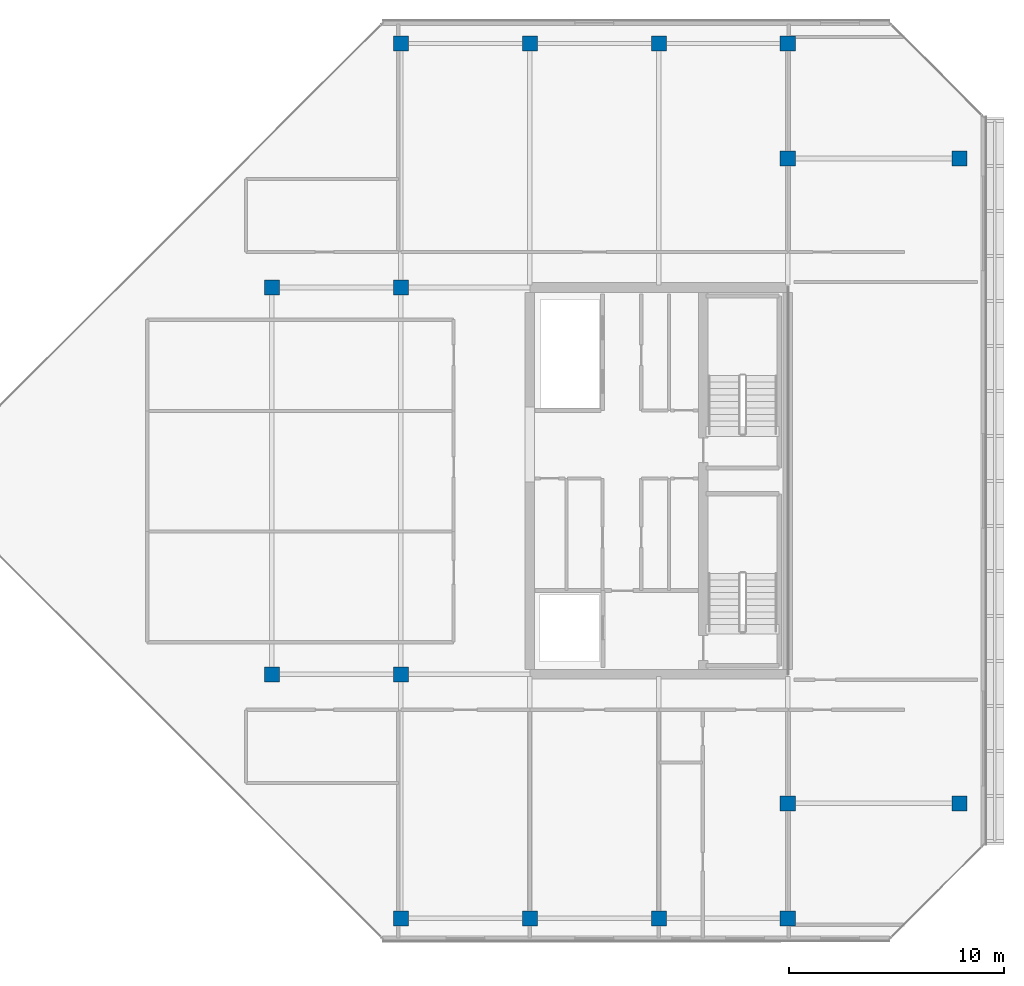
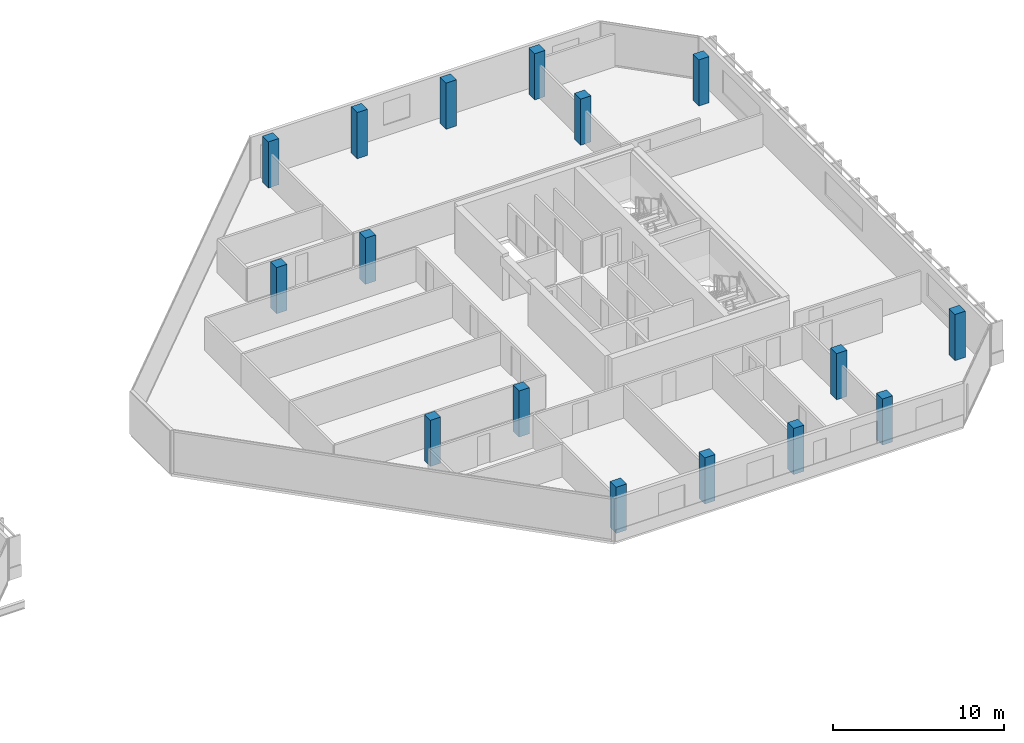
# One storey, part 1 of 29: 16 columns.
"""IFC4 building model written with IfcOpenShell, lengths in metres."""

from ifc_helpers import new_model, si_unit, direction, frame, origin, origin_2d, place, context, subcontext, project, spatial, rectangle, extrude, material, material_profile, profile_set, type_object, element, save


model = new_model("IFC4")

# Units and contexts
model_context = context("Model", 3, precision=1e-05, world=origin(), true_north=direction((0.0, 1.0)))
body_context = subcontext(model_context, "Body", "Model", "MODEL_VIEW")
ifc_project = project(units=[si_unit("LENGTHUNIT", "METRE"), si_unit("AREAUNIT", "SQUARE_METRE"), si_unit("VOLUMEUNIT", "CUBIC_METRE"), si_unit("PLANEANGLEUNIT", "RADIAN"), si_unit("MASSUNIT", "GRAM", prefix="KILO")], contexts=[model_context])

# Site, building, storey
site_placement = place(None, origin())
site = spatial("IfcSite", under=ifc_project, at=site_placement, CompositionType="ELEMENT")
building_placement = place(site_placement, origin())
building = spatial("IfcBuilding", under=site, at=building_placement, Name="Tanjung Sevakor Pilgrim Tower", CompositionType="ELEMENT")
storey_placement = place(building_placement, frame((0.0, 0.0, 232.64990234375)))
storey = spatial("IfcBuildingStorey", under=building, at=storey_placement, Name="L65", CompositionType="ELEMENT", Elevation=232.64990234375)

# Columns
ifc_material = material(Name="Concrete C60/75", Category="concrete")
ifc_material_profile = material_profile(ifc_material, rectangle(XDim=0.699951171875, YDim=0.699951171875, at=origin_2d()))
ifc_profile_set = profile_set([ifc_material_profile], Name="Concrete C60/75")
column_type = type_object("IfcColumnType", Name="COL-C-T700-RC_700x700", PredefinedType="COLUMN", material=ifc_profile_set)
for number, where, z_axis, x_axis, name in (
    (1, (66.0, 24.60009765625, 0.0), (0.0, 0.0, 1.0), (1.0, 0.0, 0.0), "L65 Column SPE-066-246"),
    (2, (66.0, 42.60009765625, 0.0), (0.0, 0.0, 1.0), (1.0, 0.0, 0.0), "L65 Column SPE-066-426"),
    (3, (72.0, 24.60009765625, 0.0), (0.0, 0.0, 1.0), (1.0, 0.0, 0.0), "L65 Column SPE-072-246"),
    (4, (72.0, 42.60009765625, 0.0), (0.0, 0.0, 1.0), (1.0, 0.0, 0.0), "L65 Column SPE-072-426"),
    (5, (90.0, 18.60009765625, 0.0), (0.0, 0.0, 1.0), (1.0, 0.0, 0.0), "L65 Column TCE-0900-186"),
    (6, (90.0, 48.60009765625, 0.0), (0.0, 0.0, 1.0), (1.0, 0.0, 0.0), "L65 Column TCE-0900-486"),
    (7, (98.0, 18.60009765625, 0.0), (0.0, 0.0, 1.0), (1.0, 0.0, 0.0), "L65 Column TCE-0980-186"),
    (8, (98.0, 48.60009765625, 0.0), (0.0, 0.0, 1.0), (1.0, 0.0, 0.0), "L65 Column TCE-0980-486"),
    (9, (72.0, 13.25, 0.0), (0.0, 0.0, 1.0), (1.0, 0.0, 0.0), "L65 Column TC4-072-132"),
    (10, (72.0, 53.949951171875, 0.0), (0.0, 0.0, 1.0), (1.0, 0.0, 0.0), "L65 Column TC4-072-540"),
    (11, (78.0, 13.25, 0.0), (0.0, 0.0, 1.0), (1.0, 0.0, 0.0), "L65 Column TC4-078-132"),
    (12, (78.0, 53.949951171875, 0.0), (0.0, 0.0, 1.0), (1.0, 0.0, 0.0), "L65 Column TC4-078-540"),
    (13, (84.0, 13.25, 0.0), (0.0, 0.0, 1.0), (1.0, 0.0, 0.0), "L65 Column TC4-084-132"),
    (14, (84.0, 53.949951171875, 0.0), (0.0, 0.0, 1.0), (1.0, 0.0, 0.0), "L65 Column TC4-084-540"),
    (15, (90.0, 13.25, 0.0), (0.0, 0.0, 1.0), (1.0, 0.0, 0.0), "L65 Column TC4-090-132"),
    (16, (90.0, 53.949951171875, 0.0), (0.0, 0.0, 1.0), (1.0, 0.0, 0.0), "L65 Column TC4-090-540"),
):
    element("IfcColumn", number, at=place(storey_placement, frame(where, z_axis=z_axis, x_axis=x_axis)), inside=storey, type_object=column_type, Name=name, PredefinedType="COLUMN", context=body_context, shape_type="SweptSolid", body=[
        extrude(rectangle(XDim=0.699951171875, YDim=0.699951171875, at=origin_2d()), origin(), (0.0, 0.0, 1.0), 3.300048828125),
    ])

save(model, "model.ifc")
